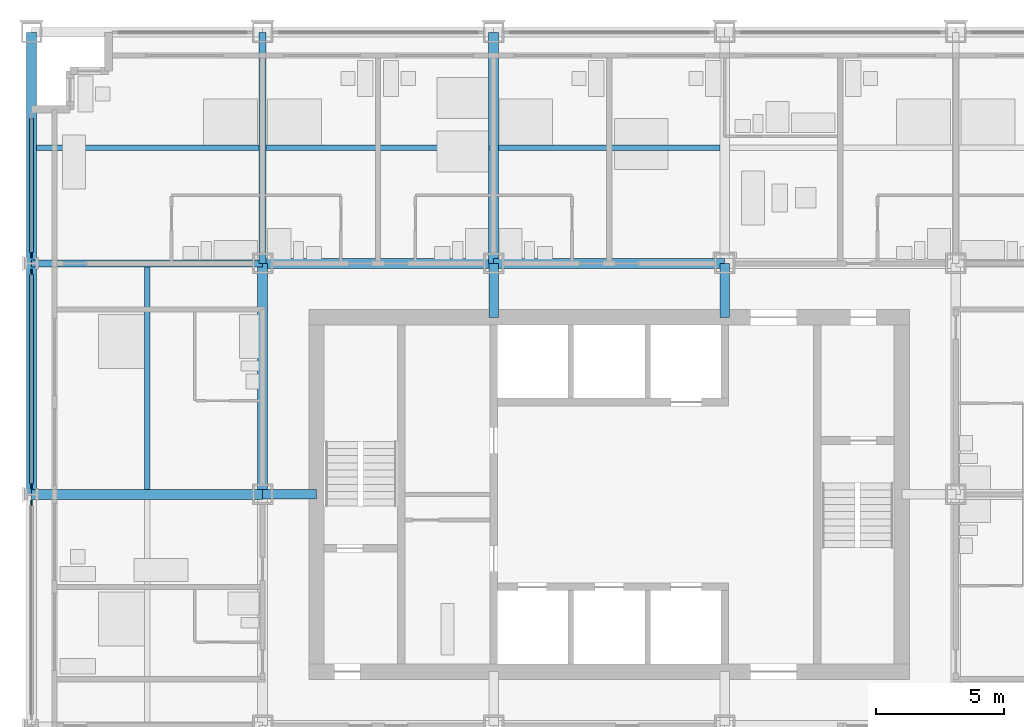
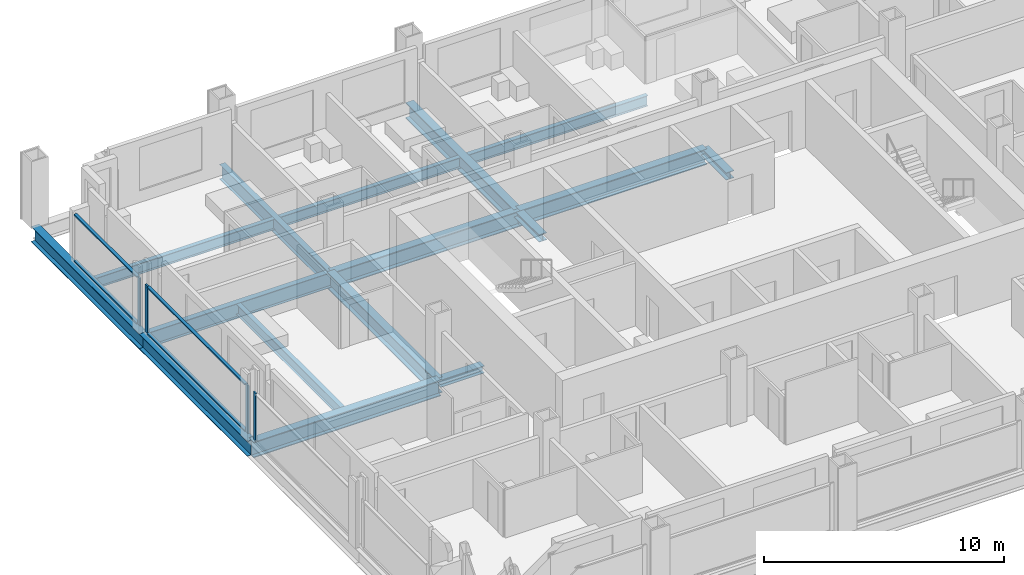
# One storey, part 4 of 16: 13 beams, 11 members, 3 elements without a shape of their own.
"""IFC4 building model written with IfcOpenShell, lengths in metres."""

from ifc_helpers import new_model, si_unit, direction, frame, origin, origin_2d, place, context, subcontext, project, spatial, rectangle, i_section, extrude, material, material_profile, profile_set, type_object, element, aggregate, save


model = new_model("IFC4")

# Units and contexts
model_context = context("Model", 3, precision=1e-05, world=origin(), true_north=direction((0.0, 1.0)))
body_context = subcontext(model_context, "Body", "Model", "MODEL_VIEW")
ifc_project = project(units=[si_unit("LENGTHUNIT", "METRE"), si_unit("AREAUNIT", "SQUARE_METRE"), si_unit("VOLUMEUNIT", "CUBIC_METRE"), si_unit("PLANEANGLEUNIT", "RADIAN"), si_unit("MASSUNIT", "GRAM", prefix="KILO")], contexts=[model_context])

# Site, building, storey
site_placement = place(None, origin())
site = spatial("IfcSite", under=ifc_project, at=site_placement, CompositionType="ELEMENT")
building_placement = place(site_placement, origin())
building = spatial("IfcBuilding", under=site, at=building_placement, Name="Loomwork Tower", CompositionType="ELEMENT")
storey_placement = place(building_placement, frame((0.0, 0.0, 101.0)))
storey = spatial("IfcBuildingStorey", under=building, at=storey_placement, Name="L26", CompositionType="ELEMENT", Elevation=101.0)

# Beams
ifc_material_1 = material(Name="Steel ASTM A992", Category="steel")
ifc_material_profile_1 = material_profile(ifc_material_1, i_section(OverallWidth=0.383544921875, OverallDepth=0.794921875, WebThickness=0.02099609375, FlangeThickness=0.0380859375, at=origin_2d()), Name="W30x235")
ifc_profile_set_1 = profile_set([ifc_material_profile_1], Name="Steel ASTM A992")
beam_type_1 = type_object("IfcBeamType", Name="CORE FLANK GIRDER W30x235", PredefinedType="BEAM", material=ifc_profile_set_1)
for number, where, z_axis, x_axis, name in (
    (1, (0.0, 18.0, -0.597412109375), (1.0, 0.0, 0.0), (0.0, 1.0, 0.0), "Core Flank Girder F/2-F/3 L26"),
    (2, (9.0, 27.0, -0.597412109375), (1.0, 0.0, 0.0), (0.0, 1.0, 0.0), "Core Flank Girder G/3-G/4 L26"),
    (3, (18.0, 27.0, -0.597412109375), (1.0, 0.0, 0.0), (0.0, 1.0, 0.0), "Core Flank Girder G/4-G/5 L26"),
    (4, (9.0, 18.0, -0.597412109375), (0.0, 1.0, 0.0), (-1.0, 0.0, 0.0), "Core Flank Girder F/3-G/3 L26"),
    (5, (18.0, 27.0, -0.597412109375), (0.0, 1.0, 0.0), (-1.0, 0.0, 0.0), "Core Flank Girder G/4-H/4 L26"),
):
    element("IfcBeam", number, at=place(storey_placement, frame(where, z_axis=z_axis, x_axis=x_axis)), inside=storey, type_object=beam_type_1, Name=name, PredefinedType="BEAM", context=body_context, shape_type="SweptSolid", body=[
        extrude(i_section(OverallWidth=0.383544921875, OverallDepth=0.794921875, WebThickness=0.02099609375, FlangeThickness=0.0380859375, at=origin_2d()), origin(), (0.0, 0.0, 1.0), 9.0),
    ])

# Members
ifc_material_2 = material(Name="Steel ASTM A992", Category="steel")
ifc_material_profile_2 = material_profile(ifc_material_2, i_section(OverallWidth=0.373291015625, OverallDepth=0.373291015625, WebThickness=0.016357421875, FlangeThickness=0.026123046875, at=origin_2d()), Name="W14x132")
ifc_profile_set_2 = profile_set([ifc_material_profile_2], Name="Steel ASTM A992")
member_type_1 = type_object("IfcMemberType", Name="CORE LINK STRUT W14x132", PredefinedType="STRUT", material=ifc_profile_set_2)
for number, where, z_axis, x_axis, name in (
    (6, (27.0, 27.0, -0.38671875), (0.0, -1.0, 0.0), (1.0, 0.0, 0.0), "Core link strut G/5-27.000,24.900 L26"),
    (7, (18.0, 27.0, -0.38671875), (0.0, -1.0, 0.0), (1.0, 0.0, 0.0), "Core link strut G/4-18.000,24.900 L26"),
    (8, (9.0, 18.0, -0.38671875), (1.0, 0.0, 0.0), (0.0, 1.0, 0.0), "Core link strut F/3-11.100,18.000 L26"),
):
    element("IfcMember", number, at=place(storey_placement, frame(where, z_axis=z_axis, x_axis=x_axis)), inside=storey, type_object=member_type_1, Name=name, PredefinedType="STRUT", context=body_context, shape_type="SweptSolid", body=[
        extrude(i_section(OverallWidth=0.373291015625, OverallDepth=0.373291015625, WebThickness=0.016357421875, FlangeThickness=0.026123046875, at=origin_2d()), origin(), (0.0, 0.0, 1.0), 2.10009765625),
    ])

# Beams
ifc_material_3 = material(Name="Steel ASTM A992", Category="steel")
ifc_material_profile_3 = material_profile(ifc_material_3, i_section(OverallWidth=0.2666015625, OverallDepth=0.761962890625, WebThickness=0.014404296875, FlangeThickness=0.021484375, at=origin_2d()), Name="W30x116")
ifc_profile_set_3 = profile_set([ifc_material_profile_3], Name="Steel ASTM A992")
beam_type_2 = type_object("IfcBeamType", Name="FLOOR GIRDER W30x116", PredefinedType="BEAM", material=ifc_profile_set_3)
for number, where, z_axis, x_axis, name in (
    (9, (0.0, 27.0, -0.5810546875), (1.0, 0.0, 0.0), (0.0, 1.0, 0.0), "Floor Girder G/2-G/3 L26"),
    (10, (9.0, 27.0, -0.5810546875), (0.0, 1.0, 0.0), (-1.0, 0.0, 0.0), "Floor Girder G/3-H/3 L26"),
):
    element("IfcBeam", number, at=place(storey_placement, frame(where, z_axis=z_axis, x_axis=x_axis)), inside=storey, type_object=beam_type_2, Name=name, PredefinedType="BEAM", context=body_context, shape_type="SweptSolid", body=[
        extrude(i_section(OverallWidth=0.2666015625, OverallDepth=0.761962890625, WebThickness=0.014404296875, FlangeThickness=0.021484375, at=origin_2d()), origin(), (0.0, 0.0, 1.0), 9.0),
    ])
ifc_material_4 = material(Name="Steel ASTM A992", Category="steel")
ifc_material_profile_4 = material_profile(ifc_material_4, i_section(OverallWidth=0.2109375, OverallDepth=0.53857421875, WebThickness=0.011474609375, FlangeThickness=0.018798828125, at=origin_2d()), Name="W21x73")
ifc_profile_set_4 = profile_set([ifc_material_profile_4], Name="Steel ASTM A992")
beam_type_3 = type_object("IfcBeamType", Name="FLOOR JOIST W21x73", PredefinedType="JOIST", material=ifc_profile_set_4)
beam_1_placement = place(storey_placement, frame((4.5, 18.19091796875, -0.46923828125), z_axis=(0.0, 1.0, 0.0), x_axis=(-1.0, 0.0, 0.0)))
element("IfcBeam", 11, at=beam_1_placement, inside=storey, type_object=beam_type_3, Name="Floor Joist 4.500,18.000-4.500,27.000 L26", PredefinedType="JOIST", context=body_context, shape_type="SweptSolid", body=[
    extrude(i_section(OverallWidth=0.2109375, OverallDepth=0.53857421875, WebThickness=0.011474609375, FlangeThickness=0.018798828125, at=origin_2d()), origin(), (0.0, 0.0, 1.0), 8.676025390625),
])
beam_2_placement = place(storey_placement, frame((0.18994140625, 31.5, -0.46923828125), z_axis=(1.0, 0.0, 0.0), x_axis=(0.0, 1.0, 0.0)))
element("IfcBeam", 12, at=beam_2_placement, inside=storey, type_object=beam_type_3, Name="Floor Joist 0.000,31.500-9.000,31.500 L26", PredefinedType="JOIST", context=body_context, shape_type="SweptSolid", body=[
    extrude(i_section(OverallWidth=0.2109375, OverallDepth=0.53857421875, WebThickness=0.011474609375, FlangeThickness=0.018798828125, at=origin_2d()), origin(), (0.0, 0.0, 1.0), 8.677001953125),
])
beam_3_placement = place(storey_placement, frame((9.133056640625, 31.5, -0.46923828125), z_axis=(1.0, 0.0, 0.0), x_axis=(0.0, 1.0, 0.0)))
element("IfcBeam", 13, at=beam_3_placement, inside=storey, type_object=beam_type_3, Name="Floor Joist 9.000,31.500-18.000,31.500 L26", PredefinedType="JOIST", context=body_context, shape_type="SweptSolid", body=[
    extrude(i_section(OverallWidth=0.2109375, OverallDepth=0.53857421875, WebThickness=0.011474609375, FlangeThickness=0.018798828125, at=origin_2d()), origin(), (0.0, 0.0, 1.0), 8.676025390625),
])
beam_4_placement = place(storey_placement, frame((18.19091796875, 31.5, -0.46923828125), z_axis=(1.0, 0.0, 0.0), x_axis=(0.0, 1.0, 0.0)))
element("IfcBeam", 14, at=beam_4_placement, inside=storey, type_object=beam_type_3, Name="Floor Joist 18.000,31.500-27.000,31.500 L26", PredefinedType="JOIST", context=body_context, shape_type="SweptSolid", body=[
    extrude(i_section(OverallWidth=0.2109375, OverallDepth=0.53857421875, WebThickness=0.011474609375, FlangeThickness=0.018798828125, at=origin_2d()), origin(), (0.0, 0.0, 1.0), 8.6181640625),
])

# Curtain wall, member
ifc_material_5 = material(Name="Aluminium curtain wall frame", Category="aluminium")
curtain_wall_type = type_object("IfcCurtainWallType", Name="Outer skin glazing hotel", PredefinedType="NOTDEFINED", material=ifc_material_5)
curtain_wall_1_placement = place(storey_placement, origin())
curtain_wall_1 = element("IfcCurtainWall", 15, at=curtain_wall_1_placement, inside=storey, type_object=curtain_wall_type, Name="Outer skin glazing hotel cw/W-9", PredefinedType="NOTDEFINED")
ifc_material_6 = material(Name="Aluminium curtain wall frame", Category="aluminium")
ifc_material_profile_5 = material_profile(ifc_material_6, rectangle(XDim=0.06494140625, YDim=0.199951171875, at=origin_2d()), Name="AL 65x200")
ifc_profile_set_5 = profile_set([ifc_material_profile_5], Name="Aluminium curtain wall frame")
member_type_2 = type_object("IfcMemberType", Name="Outer skin glazing hotel mullion", PredefinedType="MULLION", material=ifc_profile_set_5)
member_1_placement = place(storey_placement, frame((0.0, 17.67529296875, 0.0), z_axis=(0.0, 0.0, 1.0), x_axis=(1.0, 0.0, 0.0)))
member_1 = element("IfcMember", 16, at=member_1_placement, type_object=member_type_2, Name="CW1 mullion 1", PredefinedType="MULLION", context=body_context, shape_type="SweptSolid", body=[
    extrude(rectangle(XDim=0.06494140625, YDim=0.199951171875, at=origin_2d()), origin(), (0.0, 0.0, 1.0), 2.420166015625),
])
aggregate(curtain_wall_1, [member_1])

# Curtain wall, members
curtain_wall_2_placement = place(storey_placement, origin())
curtain_wall_2 = element("IfcCurtainWall", 17, at=curtain_wall_2_placement, inside=storey, type_object=curtain_wall_type, Name="Outer skin glazing hotel cw/W-18", PredefinedType="NOTDEFINED")
member_2_placement = place(storey_placement, frame((0.0, 26.67529296875, 0.0), z_axis=(0.0, 0.0, 1.0), x_axis=(1.0, 0.0, 0.0)))
member_2 = element("IfcMember", 18, at=member_2_placement, type_object=member_type_2, Name="CW1 mullion 1", PredefinedType="MULLION", context=body_context, shape_type="SweptSolid", body=[
    extrude(rectangle(XDim=0.06494140625, YDim=0.199951171875, at=origin_2d()), origin(), (0.0, 0.0, 1.0), 2.420166015625),
])
member_3_placement = place(storey_placement, frame((0.0, 18.32470703125, 0.0), z_axis=(0.0, 0.0, 1.0), x_axis=(1.0, 0.0, 0.0)))
member_3 = element("IfcMember", 19, at=member_3_placement, type_object=member_type_2, Name="CW1 mullion 2", PredefinedType="MULLION", context=body_context, shape_type="SweptSolid", body=[
    extrude(rectangle(XDim=0.06494140625, YDim=0.199951171875, at=origin_2d()), origin(), (0.0, 0.0, 1.0), 2.420166015625),
])

# Curtain wall, member
curtain_wall_3_placement = place(storey_placement, origin())
curtain_wall_3 = element("IfcCurtainWall", 20, at=curtain_wall_3_placement, inside=storey, type_object=curtain_wall_type, Name="Outer skin glazing hotel cw/W-27", PredefinedType="NOTDEFINED")
member_4_placement = place(storey_placement, frame((0.0, 27.32470703125, 0.0), z_axis=(0.0, 0.0, 1.0), x_axis=(1.0, 0.0, 0.0)))
member_4 = element("IfcMember", 21, at=member_4_placement, type_object=member_type_2, Name="CW1 mullion 2", PredefinedType="MULLION", context=body_context, shape_type="SweptSolid", body=[
    extrude(rectangle(XDim=0.06494140625, YDim=0.199951171875, at=origin_2d()), origin(), (0.0, 0.0, 1.0), 2.420166015625),
])

# Member
ifc_material_7 = material(Name="Aluminium curtain wall frame", Category="aluminium")
ifc_material_profile_6 = material_profile(ifc_material_7, rectangle(XDim=0.14990234375, YDim=0.06494140625, at=origin_2d()), Name="AL 65x150")
ifc_profile_set_6 = profile_set([ifc_material_profile_6], Name="Aluminium curtain wall frame")
member_type_3 = type_object("IfcMemberType", Name="Outer skin glazing hotel transom", PredefinedType="USERDEFINED", material=ifc_profile_set_6)
member_5_placement = place(storey_placement, frame((0.0, 26.5751953125, 0.032470703125), z_axis=(0.0, -1.0, 0.0), x_axis=(1.0, 0.0, 0.0)))
member_5 = element("IfcMember", 22, at=member_5_placement, type_object=member_type_3, Name="CW1 transom 1.1", ObjectType="TRANSOM", PredefinedType="USERDEFINED", context=body_context, shape_type="SweptSolid", body=[
    extrude(rectangle(XDim=0.14990234375, YDim=0.06494140625, at=origin_2d()), origin(), (0.0, 0.0, 1.0), 8.150390625),
])

member_6_placement = place(storey_placement, frame((0.0, 26.5751953125, 2.3876953125), z_axis=(0.0, -1.0, 0.0), x_axis=(1.0, 0.0, 0.0)))
member_6 = element("IfcMember", 23, at=member_6_placement, type_object=member_type_3, Name="CW1 transom 1.2", ObjectType="TRANSOM", PredefinedType="USERDEFINED", context=body_context, shape_type="SweptSolid", body=[
    extrude(rectangle(XDim=0.14990234375, YDim=0.06494140625, at=origin_2d()), origin(), (0.0, 0.0, 1.0), 8.150390625),
])

aggregate(curtain_wall_2, [member_2, member_3, member_5, member_6])

member_7_placement = place(storey_placement, frame((0.0, 32.64990234375, 0.032470703125), z_axis=(0.0, -1.0, 0.0), x_axis=(1.0, 0.0, 0.0)))
member_7 = element("IfcMember", 24, at=member_7_placement, type_object=member_type_3, Name="CW1 transom 1.1", ObjectType="TRANSOM", PredefinedType="USERDEFINED", context=body_context, shape_type="SweptSolid", body=[
    extrude(rectangle(XDim=0.14990234375, YDim=0.06494140625, at=origin_2d()), origin(), (0.0, 0.0, 1.0), 5.22509765625),
])

member_8_placement = place(storey_placement, frame((0.0, 32.64990234375, 2.3876953125), z_axis=(0.0, -1.0, 0.0), x_axis=(1.0, 0.0, 0.0)))
member_8 = element("IfcMember", 25, at=member_8_placement, type_object=member_type_3, Name="CW1 transom 1.2", ObjectType="TRANSOM", PredefinedType="USERDEFINED", context=body_context, shape_type="SweptSolid", body=[
    extrude(rectangle(XDim=0.14990234375, YDim=0.06494140625, at=origin_2d()), origin(), (0.0, 0.0, 1.0), 5.22509765625),
])

aggregate(curtain_wall_3, [member_4, member_7, member_8])

# Beams
ifc_material_8 = material(Name="Steel ASTM A992", Category="steel")
ifc_material_profile_7 = material_profile(ifc_material_8, i_section(OverallWidth=0.381103515625, OverallDepth=0.77978515625, WebThickness=0.01806640625, FlangeThickness=0.0302734375, at=origin_2d()), Name="W30x191")
ifc_profile_set_7 = profile_set([ifc_material_profile_7], Name="Steel ASTM A992")
beam_type_4 = type_object("IfcBeamType", Name="SPANDREL GIRDER W30x191", PredefinedType="SPANDREL", material=ifc_profile_set_7)
for number, where, z_axis, x_axis, name in (
    (26, (0.0, 18.0, -0.58984375), (0.0, 1.0, 0.0), (-1.0, 0.0, 0.0), "Spandrel Girder F/2-G/2 L26"),
    (27, (0.0, 27.0, -0.58984375), (0.0, 1.0, 0.0), (-1.0, 0.0, 0.0), "Spandrel Girder G/2-H/2 L26"),
):
    element("IfcBeam", number, at=place(storey_placement, frame(where, z_axis=z_axis, x_axis=x_axis)), inside=storey, type_object=beam_type_4, Name=name, PredefinedType="SPANDREL", context=body_context, shape_type="SweptSolid", body=[
        extrude(i_section(OverallWidth=0.381103515625, OverallDepth=0.77978515625, WebThickness=0.01806640625, FlangeThickness=0.0302734375, at=origin_2d()), origin(), (0.0, 0.0, 1.0), 9.0),
    ])

save(model, "model.ifc")
